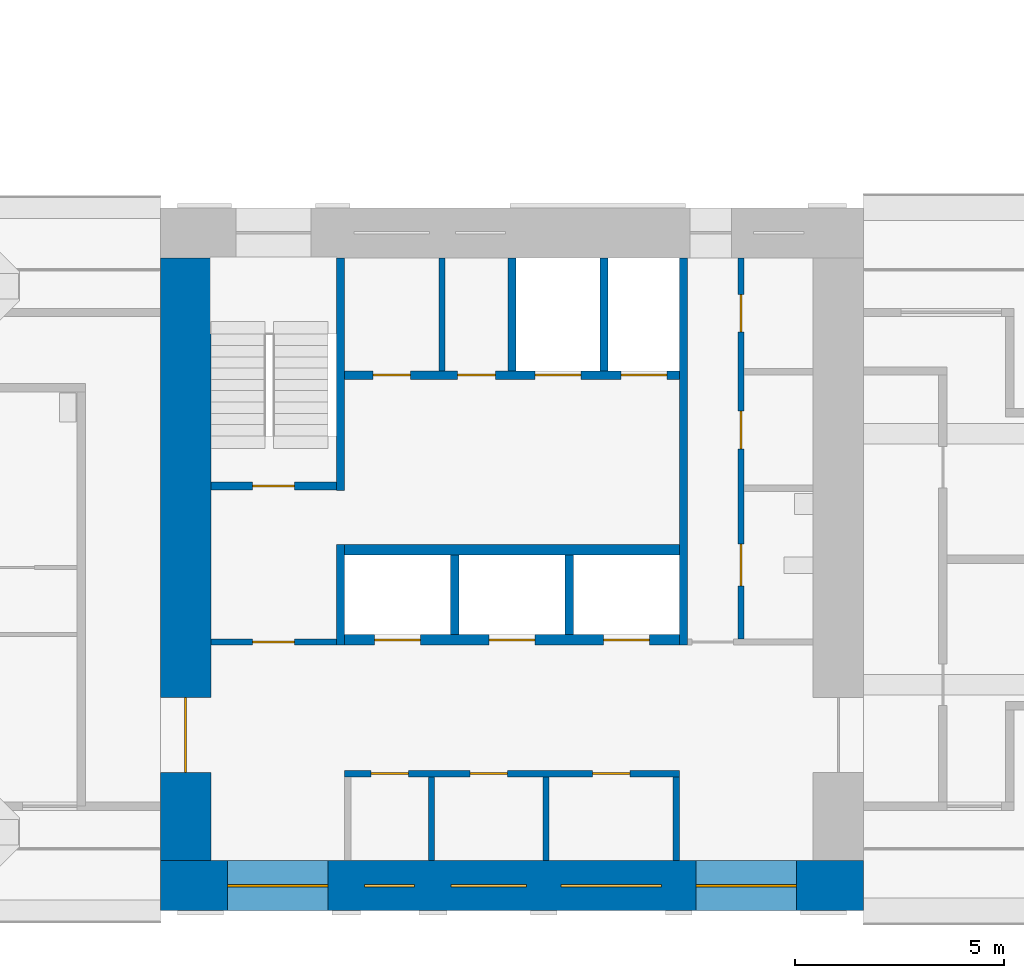
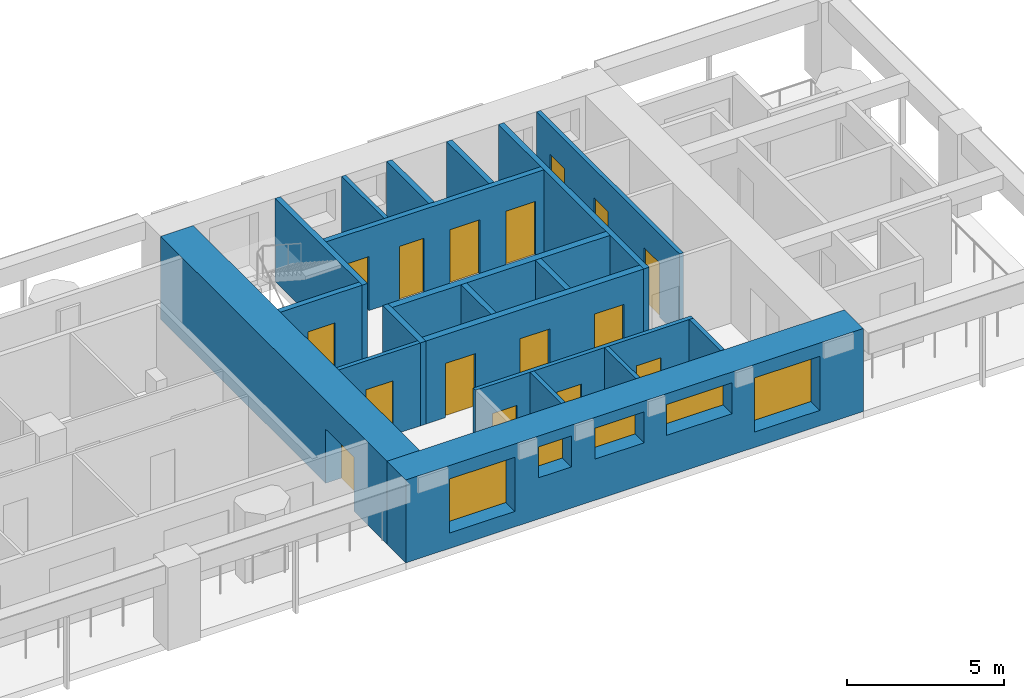
# One storey, part 4 of 13: 20 walls, 16 doors, 5 windows, 21 openings.
"""IFC4 building model written with IfcOpenShell, lengths in metres."""

from ifc_helpers import new_model, si_unit, direction, frame, frame_2d, origin, place, context, subcontext, project, spatial, rectangle, extrude, material, layer, layer_set, type_object, element, fill, save


model = new_model("IFC4")

# Units and contexts
model_context = context("Model", 3, precision=1e-05, world=origin(), true_north=direction((0.0, 1.0)))
body_context = subcontext(model_context, "Body", "Model", "MODEL_VIEW")
ifc_project = project(units=[si_unit("LENGTHUNIT", "METRE"), si_unit("AREAUNIT", "SQUARE_METRE"), si_unit("VOLUMEUNIT", "CUBIC_METRE"), si_unit("PLANEANGLEUNIT", "RADIAN"), si_unit("MASSUNIT", "GRAM", prefix="KILO")], contexts=[model_context])

# Site, building, storey
site_placement = place(None, origin())
site = spatial("IfcSite", under=ifc_project, at=site_placement, CompositionType="ELEMENT")
building_placement = place(site_placement, origin())
building = spatial("IfcBuilding", under=site, at=building_placement, Name="Vermilion Gate Residences", CompositionType="ELEMENT")
storey_placement = place(building_placement, frame((0.0, 0.0, 147.699951171875)))
storey = spatial("IfcBuildingStorey", under=building, at=storey_placement, Name="L37", CompositionType="ELEMENT", Elevation=147.699951171875)

# Walls
ifc_material_1 = material(Name="Masonry blockwork", Category="masonry")
ifc_layer_1 = layer(ifc_material_1, 0.14990234375)
ifc_layer_set_1 = layer_set([ifc_layer_1], Name="BLOCKWORK PARTITION 150 EI 120")
wall_type_1 = type_object("IfcWallType", Name="BLOCKWORK PARTITION 150 EI 120", PredefinedType="PARTITIONING", material=ifc_layer_set_1)
for number, where, z_axis, x_axis, name in (
    (1, (54.324951171875, 9.60009765625, 0.0), (0.0, 0.0, 1.0), (0.0, 1.0, 0.0), "Core room partition A37-RW-E"),
    (2, (48.47509765625, 9.60009765625, 0.0), (0.0, 0.0, 1.0), (0.0, 1.0, 0.0), "Core room partition A37-SR-P0"),
    (3, (51.215087890625, 9.60009765625, 0.0), (0.0, 0.0, 1.0), (0.0, 1.0, 0.0), "Core room partition A37-SR-P1"),
):
    element("IfcWall", number, at=place(storey_placement, frame(where, z_axis=z_axis, x_axis=x_axis)), inside=storey, type_object=wall_type_1, Name=name, PredefinedType="PARTITIONING", context=body_context, shape_type="SweptSolid", body=[
        extrude(rectangle(XDim=2.0, YDim=0.14990234375, at=frame_2d((1.0, 0.0))), origin(), (0.0, 0.0, 1.0), 3.219970703125),
    ])

# Wall, openings, doors
wall_1_placement = place(storey_placement, frame((46.39990234375, 11.675048828125, 0.0), z_axis=(0.0, 0.0, 1.0), x_axis=(1.0, 0.0, 0.0)))
wall_1 = element("IfcWall", 4, at=wall_1_placement, inside=storey, type_object=wall_type_1, Name="Core room partition A37-LR-F", PredefinedType="PARTITIONING", context=body_context, shape_type="SweptSolid", body=[
    extrude(rectangle(XDim=8.0, YDim=0.14990234375, at=frame_2d((4.0, 0.0))), origin(), (0.0, 0.0, 1.0), 3.219970703125),
])
opening_1_placement = place(wall_1_placement, frame((0.625, 0.0, 0.0)))
opening_1 = element("IfcOpeningElement", 5, at=opening_1_placement, cuts=wall_1, Name="Opening DK37003", PredefinedType="OPENING", context=body_context, shape_type="SweptSolid", body=[
    extrude(rectangle(XDim=0.89990234375, YDim=2.10009765625, at=frame_2d((0.449951171875, 1.050048828125))), frame((0.0, 0.0849609375, 0.0), z_axis=(0.0, -1.0, 0.0), x_axis=(1.0, 0.0, 0.0)), (0.0, 0.0, 1.0), 0.169921875),
])
opening_2_placement = place(wall_1_placement, frame((2.9951171875, 0.0, 0.0)))
opening_2 = element("IfcOpeningElement", 6, at=opening_2_placement, cuts=wall_1, Name="Opening DK37004", PredefinedType="OPENING", context=body_context, shape_type="SweptSolid", body=[
    extrude(rectangle(XDim=0.89990234375, YDim=2.10009765625, at=frame_2d((0.449951171875, 1.050048828125))), frame((0.0, 0.0849609375, 0.0), z_axis=(0.0, -1.0, 0.0), x_axis=(1.0, 0.0, 0.0)), (0.0, 0.0, 1.0), 0.169921875),
])
opening_3_placement = place(wall_1_placement, frame((5.919921875, 0.0, 0.0)))
opening_3 = element("IfcOpeningElement", 7, at=opening_3_placement, cuts=wall_1, Name="Opening DK37005", PredefinedType="OPENING", context=body_context, shape_type="SweptSolid", body=[
    extrude(rectangle(XDim=0.89990234375, YDim=2.10009765625, at=frame_2d((0.449951171875, 1.050048828125))), frame((0.0, 0.0849609375, 0.0), z_axis=(0.0, -1.0, 0.0), x_axis=(1.0, 0.0, 0.0)), (0.0, 0.0, 1.0), 0.169921875),
])
ifc_material_2 = material(Name="Steel", Category="steel")
door_type_1 = type_object("IfcDoorType", Name="SERVICE ROOM DOOR FD60 900 X 2100", OperationType="SINGLE_SWING_LEFT", PredefinedType="DOOR", material=ifc_material_2)
door_1_placement = place(opening_1_placement, origin())
door_1 = element("IfcDoor", 8, at=door_1_placement, inside=storey, type_object=door_type_1, Name="Electrical room A37", OperationType="SINGLE_SWING_LEFT", OverallHeight=2.10009765625, OverallWidth=0.89990234375, PredefinedType="DOOR", context=body_context, shape_type="SweptSolid", body=[
    extrude(rectangle(XDim=0.89990234375, YDim=2.10009765625, at=frame_2d((0.449951171875, 1.050048828125))), frame((0.0, 0.02490234375, 0.0), z_axis=(0.0, -1.0, 0.0), x_axis=(1.0, 0.0, 0.0)), (0.0, 0.0, 1.0), 0.050048828125),
])
fill(opening_1, door_1)
door_2_placement = place(opening_2_placement, frame((0.89990234375, 0.0, 0.0), z_axis=(0.0, 0.0, 1.0), x_axis=(-1.0, 0.0, 0.0)))
door_2 = element("IfcDoor", 9, at=door_2_placement, inside=storey, type_object=door_type_1, Name="Communications room A37", OperationType="SINGLE_SWING_RIGHT", OverallHeight=2.10009765625, OverallWidth=0.89990234375, PredefinedType="DOOR", context=body_context, shape_type="SweptSolid", body=[
    extrude(rectangle(XDim=0.89990234375, YDim=2.10009765625, at=frame_2d((0.449951171875, 1.050048828125))), frame((0.0, 0.02490234375, 0.0), z_axis=(0.0, -1.0, 0.0), x_axis=(1.0, 0.0, 0.0)), (0.0, 0.0, 1.0), 0.050048828125),
])
fill(opening_2, door_2)
door_3_placement = place(opening_3_placement, frame((0.89990234375, 0.0, 0.0), z_axis=(0.0, 0.0, 1.0), x_axis=(-1.0, 0.0, 0.0)))
door_3 = element("IfcDoor", 10, at=door_3_placement, inside=storey, type_object=door_type_1, Name="Refuse room A37", OperationType="SINGLE_SWING_RIGHT", OverallHeight=2.10009765625, OverallWidth=0.89990234375, PredefinedType="DOOR", context=body_context, shape_type="SweptSolid", body=[
    extrude(rectangle(XDim=0.89990234375, YDim=2.10009765625, at=frame_2d((0.449951171875, 1.050048828125))), frame((0.0, 0.02490234375, 0.0), z_axis=(0.0, -1.0, 0.0), x_axis=(1.0, 0.0, 0.0)), (0.0, 0.0, 1.0), 0.050048828125),
])
fill(opening_3, door_3)

# Wall
wall_2_placement = place(storey_placement, frame((48.72509765625, 21.300048828125, 0.0), z_axis=(0.0, 0.0, 1.0), x_axis=(0.0, 1.0, 0.0)))
element("IfcWall", 11, at=wall_2_placement, inside=storey, type_object=wall_type_1, Name="Core room partition A37-NR-P0", PredefinedType="PARTITIONING", context=body_context, shape_type="SweptSolid", body=[
    extrude(rectangle(XDim=2.699951171875, YDim=0.14990234375, at=frame_2d((1.35009765625, 0.0))), origin(), (0.0, 0.0, 1.0), 3.219970703125),
])

# Wall, opening, door
wall_3_placement = place(storey_placement, frame((43.199951171875, 14.824951171875, 0.0), z_axis=(0.0, 0.0, 1.0), x_axis=(1.0, 0.0, 0.0)))
wall_3 = element("IfcWall", 12, at=wall_3_placement, inside=storey, type_object=wall_type_1, Name="Core room partition A37-VW-S", PredefinedType="PARTITIONING", context=body_context, shape_type="SweptSolid", body=[
    extrude(rectangle(XDim=3.0, YDim=0.14990234375, at=frame_2d((1.5, 0.0))), origin(), (0.0, 0.0, 1.0), 3.219970703125),
])
opening_4_placement = place(wall_3_placement, frame((1.0, 0.0, 0.0)))
opening_4 = element("IfcOpeningElement", 13, at=opening_4_placement, cuts=wall_3, Name="Opening DK37013", PredefinedType="OPENING", context=body_context, shape_type="SweptSolid", body=[
    extrude(rectangle(XDim=1.0, YDim=2.10009765625, at=frame_2d((0.5, 1.050048828125))), frame((0.0, 0.0849609375, 0.0), z_axis=(0.0, -1.0, 0.0), x_axis=(1.0, 0.0, 0.0)), (0.0, 0.0, 1.0), 0.169921875),
])
ifc_material_3 = material(Name="Steel", Category="steel")
door_type_2 = type_object("IfcDoorType", Name="FIRE DOOR FD60 1000 X 2100", OperationType="SINGLE_SWING_LEFT", PredefinedType="DOOR", material=ifc_material_3)
door_4_placement = place(opening_4_placement, frame((1.0, 0.0, 0.0), z_axis=(0.0, 0.0, 1.0), x_axis=(-1.0, 0.0, 0.0)))
door_4 = element("IfcDoor", 14, at=door_4_placement, inside=storey, type_object=door_type_2, Name="Stair vestibule door A37", OperationType="SINGLE_SWING_RIGHT", OverallHeight=2.10009765625, OverallWidth=1.0, PredefinedType="DOOR", context=body_context, shape_type="SweptSolid", body=[
    extrude(rectangle(XDim=1.0, YDim=2.10009765625, at=frame_2d((0.5, 1.050048828125))), frame((0.0, 0.02490234375, 0.0), z_axis=(0.0, -1.0, 0.0), x_axis=(1.0, 0.0, 0.0)), (0.0, 0.0, 1.0), 0.050048828125),
])
fill(opening_4, door_4)

# Wall, openings, doors
wall_4_placement = place(storey_placement, frame((55.875, 14.89990234375, 0.0), z_axis=(0.0, 0.0, 1.0), x_axis=(0.0, 1.0, 0.0)))
wall_4 = element("IfcWall", 15, at=wall_4_placement, inside=storey, type_object=wall_type_1, Name="Core room partition A37-ES-W", PredefinedType="PARTITIONING", context=body_context, shape_type="SweptSolid", body=[
    extrude(rectangle(XDim=9.10009765625, YDim=0.14990234375, at=frame_2d((4.550048828125, 0.0))), origin(), (0.0, 0.0, 1.0), 3.219970703125),
])
opening_5_placement = place(wall_4_placement, frame((1.260009765625, 0.0, 0.0)))
opening_5 = element("IfcOpeningElement", 16, at=opening_5_placement, cuts=wall_4, Name="Opening DK37016", PredefinedType="OPENING", context=body_context, shape_type="SweptSolid", body=[
    extrude(rectangle(XDim=1.0, YDim=2.10009765625, at=frame_2d((0.5, 1.050048828125))), frame((0.0, 0.0849609375, 0.0), z_axis=(0.0, -1.0, 0.0), x_axis=(1.0, 0.0, 0.0)), (0.0, 0.0, 1.0), 0.169921875),
])
opening_6_placement = place(wall_4_placement, frame((4.5400390625, 0.0, 0.0)))
opening_6 = element("IfcOpeningElement", 17, at=opening_6_placement, cuts=wall_4, Name="Opening DK37017", PredefinedType="OPENING", context=body_context, shape_type="SweptSolid", body=[
    extrude(rectangle(XDim=0.89990234375, YDim=2.10009765625, at=frame_2d((0.449951171875, 1.050048828125))), frame((0.0, 0.0849609375, 0.0), z_axis=(0.0, -1.0, 0.0), x_axis=(1.0, 0.0, 0.0)), (0.0, 0.0, 1.0), 0.169921875),
])
opening_7_placement = place(wall_4_placement, frame((7.330078125, 0.0, 0.0)))
opening_7 = element("IfcOpeningElement", 18, at=opening_7_placement, cuts=wall_4, Name="Opening DK37018", PredefinedType="OPENING", context=body_context, shape_type="SweptSolid", body=[
    extrude(rectangle(XDim=0.89990234375, YDim=2.10009765625, at=frame_2d((0.449951171875, 1.050048828125))), frame((0.0, 0.0849609375, 0.0), z_axis=(0.0, -1.0, 0.0), x_axis=(1.0, 0.0, 0.0)), (0.0, 0.0, 1.0), 0.169921875),
])
door_5_placement = place(opening_5_placement, frame((1.0, 0.0, 0.0), z_axis=(0.0, 0.0, 1.0), x_axis=(-1.0, 0.0, 0.0)))
door_5 = element("IfcDoor", 19, at=door_5_placement, inside=storey, type_object=door_type_2, Name="Accessible WC A37", OperationType="SINGLE_SWING_RIGHT", OverallHeight=2.10009765625, OverallWidth=1.0, PredefinedType="DOOR", context=body_context, shape_type="SweptSolid", body=[
    extrude(rectangle(XDim=1.0, YDim=2.10009765625, at=frame_2d((0.5, 1.050048828125))), frame((0.0, 0.02490234375, 0.0), z_axis=(0.0, -1.0, 0.0), x_axis=(1.0, 0.0, 0.0)), (0.0, 0.0, 1.0), 0.050048828125),
])
fill(opening_5, door_5)
door_6_placement = place(opening_6_placement, frame((0.89990234375, 0.0, 0.0), z_axis=(0.0, 0.0, 1.0), x_axis=(-1.0, 0.0, 0.0)))
door_6 = element("IfcDoor", 20, at=door_6_placement, inside=storey, type_object=door_type_1, Name="Refuse room A37", OperationType="SINGLE_SWING_RIGHT", OverallHeight=2.10009765625, OverallWidth=0.89990234375, PredefinedType="DOOR", context=body_context, shape_type="SweptSolid", body=[
    extrude(rectangle(XDim=0.89990234375, YDim=2.10009765625, at=frame_2d((0.449951171875, 1.050048828125))), frame((0.0, 0.02490234375, 0.0), z_axis=(0.0, -1.0, 0.0), x_axis=(1.0, 0.0, 0.0)), (0.0, 0.0, 1.0), 0.050048828125),
])
fill(opening_6, door_6)
door_7_placement = place(opening_7_placement, frame((0.89990234375, 0.0, 0.0), z_axis=(0.0, 0.0, 1.0), x_axis=(-1.0, 0.0, 0.0)))
door_7 = element("IfcDoor", 21, at=door_7_placement, inside=storey, type_object=door_type_1, Name="Parcel room A37", OperationType="SINGLE_SWING_LEFT", OverallHeight=2.10009765625, OverallWidth=0.89990234375, PredefinedType="DOOR", context=body_context, shape_type="SweptSolid", body=[
    extrude(rectangle(XDim=0.89990234375, YDim=2.10009765625, at=frame_2d((0.449951171875, 1.050048828125))), frame((0.0, 0.02490234375, 0.0), z_axis=(0.0, -1.0, 0.0), x_axis=(1.0, 0.0, 0.0)), (0.0, 0.0, 1.0), 0.050048828125),
])
fill(opening_7, door_7)

# Walls
ifc_material_4 = material(Name="Concrete C60", Category="concrete")
ifc_layer_2 = layer(ifc_material_4, 0.199951171875)
ifc_layer_set_2 = layer_set([ifc_layer_2], Name="RC CORE INTERNAL WALL 200 C60")
wall_type_2 = type_object("IfcWallType", Name="RC CORE INTERNAL WALL 200 C60", PredefinedType="SHEAR", material=ifc_layer_set_2)
for number, where, z_axis, x_axis, name in (
    (22, (49.033447265625, 15.0, 0.0), (0.0, 0.0, 1.0), (0.0, 1.0, 0.0), "Core internal wall A37-HR-D1"),
    (23, (51.7666015625, 15.0, 0.0), (0.0, 0.0, 1.0), (0.0, 1.0, 0.0), "Core internal wall A37-HR-D2"),
):
    element("IfcWall", number, at=place(storey_placement, frame(where, z_axis=z_axis, x_axis=x_axis)), inside=storey, type_object=wall_type_2, Name=name, PredefinedType="SHEAR", context=body_context, shape_type="SweptSolid", body=[
        extrude(rectangle(XDim=1.89990234375, YDim=0.199951171875, at=frame_2d((0.949951171875, 0.0))), origin(), (0.0, 0.0, 1.0), 3.219970703125),
    ])
for number, where, z_axis, x_axis, name in (
    (24, (50.39990234375, 21.300048828125, 0.0), (0.0, 0.0, 1.0), (0.0, 1.0, 0.0), "Core internal wall A37-FF-D0"),
    (25, (52.60009765625, 21.300048828125, 0.0), (0.0, 0.0, 1.0), (0.0, 1.0, 0.0), "Core internal wall A37-FF-D1"),
):
    element("IfcWall", number, at=place(storey_placement, frame(where, z_axis=z_axis, x_axis=x_axis)), inside=storey, type_object=wall_type_2, Name=name, PredefinedType="SHEAR", context=body_context, shape_type="SweptSolid", body=[
        extrude(rectangle(XDim=2.699951171875, YDim=0.199951171875, at=frame_2d((1.35009765625, 0.0))), origin(), (0.0, 0.0, 1.0), 3.219970703125),
    ])

# Wall, openings, doors
wall_5_placement = place(storey_placement, frame((46.39990234375, 21.199951171875, 0.0), z_axis=(0.0, 0.0, 1.0), x_axis=(1.0, 0.0, 0.0)))
wall_5 = element("IfcWall", 26, at=wall_5_placement, inside=storey, type_object=wall_type_2, Name="Core internal wall A37-FF-F", PredefinedType="SHEAR", context=body_context, shape_type="SweptSolid", body=[
    extrude(rectangle(XDim=8.0, YDim=0.199951171875, at=frame_2d((4.0, 0.0))), origin(), (0.0, 0.0, 1.0), 3.219970703125),
])
opening_8_placement = place(wall_5_placement, frame((0.675048828125, 0.0, 0.0)))
opening_8 = element("IfcOpeningElement", 27, at=opening_8_placement, cuts=wall_5, Name="Opening DK37009", PredefinedType="OPENING", context=body_context, shape_type="SweptSolid", body=[
    extrude(rectangle(XDim=0.89990234375, YDim=2.10009765625, at=frame_2d((0.449951171875, 1.050048828125))), frame((0.0, 0.10986328125, 0.0), z_axis=(0.0, -1.0, 0.0), x_axis=(1.0, 0.0, 0.0)), (0.0, 0.0, 1.0), 0.219970703125),
])
opening_9_placement = place(wall_5_placement, frame((2.699951171875, 0.0, 0.0)))
opening_9 = element("IfcOpeningElement", 28, at=opening_9_placement, cuts=wall_5, Name="Opening DK37010", PredefinedType="OPENING", context=body_context, shape_type="SweptSolid", body=[
    extrude(rectangle(XDim=0.89990234375, YDim=2.10009765625, at=frame_2d((0.449951171875, 1.050048828125))), frame((0.0, 0.10986328125, 0.0), z_axis=(0.0, -1.0, 0.0), x_axis=(1.0, 0.0, 0.0)), (0.0, 0.0, 1.0), 0.219970703125),
])
opening_10_placement = place(wall_5_placement, frame((4.550048828125, 0.0, 0.0)))
opening_10 = element("IfcOpeningElement", 29, at=opening_10_placement, cuts=wall_5, Name="Opening LD", PredefinedType="OPENING", context=body_context, shape_type="SweptSolid", body=[
    extrude(rectangle(XDim=1.10009765625, YDim=2.10009765625, at=frame_2d((0.550048828125, 1.050048828125))), frame((0.0, 0.10986328125, 0.0), z_axis=(0.0, -1.0, 0.0), x_axis=(1.0, 0.0, 0.0)), (0.0, 0.0, 1.0), 0.219970703125),
])
opening_11_placement = place(wall_5_placement, frame((6.60009765625, 0.0, 0.0)))
opening_11 = element("IfcOpeningElement", 30, at=opening_11_placement, cuts=wall_5, Name="Opening LD", PredefinedType="OPENING", context=body_context, shape_type="SweptSolid", body=[
    extrude(rectangle(XDim=1.10009765625, YDim=2.10009765625, at=frame_2d((0.550048828125, 1.050048828125))), frame((0.0, 0.10986328125, 0.0), z_axis=(0.0, -1.0, 0.0), x_axis=(1.0, 0.0, 0.0)), (0.0, 0.0, 1.0), 0.219970703125),
])
ifc_material_5 = material(Name="Stainless steel", Category="steel")
door_type_3 = type_object("IfcDoorType", Name="LIFT LANDING DOOR E60 1100 X 2100", OperationType="DOUBLE_DOOR_SLIDING", PredefinedType="DOOR", material=ifc_material_5)
door_8_placement = place(opening_10_placement, origin())
door_8 = element("IfcDoor", 31, at=door_8_placement, inside=storey, type_object=door_type_3, Name="Lift landing door LFA1", OperationType="DOUBLE_DOOR_SLIDING", OverallHeight=2.10009765625, OverallWidth=1.10009765625, PredefinedType="DOOR", context=body_context, shape_type="SweptSolid", body=[
    extrude(rectangle(XDim=1.10009765625, YDim=2.10009765625, at=frame_2d((0.550048828125, 1.050048828125))), frame((0.0, 0.02490234375, 0.0), z_axis=(0.0, -1.0, 0.0), x_axis=(1.0, 0.0, 0.0)), (0.0, 0.0, 1.0), 0.050048828125),
])
fill(opening_10, door_8)
door_9_placement = place(opening_11_placement, origin())
door_9 = element("IfcDoor", 32, at=door_9_placement, inside=storey, type_object=door_type_3, Name="Lift landing door LCA1", OperationType="DOUBLE_DOOR_SLIDING", OverallHeight=2.10009765625, OverallWidth=1.10009765625, PredefinedType="DOOR", context=body_context, shape_type="SweptSolid", body=[
    extrude(rectangle(XDim=1.10009765625, YDim=2.10009765625, at=frame_2d((0.550048828125, 1.050048828125))), frame((0.0, 0.02490234375, 0.0), z_axis=(0.0, -1.0, 0.0), x_axis=(1.0, 0.0, 0.0)), (0.0, 0.0, 1.0), 0.050048828125),
])
fill(opening_11, door_9)
door_10_placement = place(opening_8_placement, origin())
door_10 = element("IfcDoor", 33, at=door_10_placement, inside=storey, type_object=door_type_1, Name="Electrical riser A37", OperationType="SINGLE_SWING_LEFT", OverallHeight=2.10009765625, OverallWidth=0.89990234375, PredefinedType="DOOR", context=body_context, shape_type="SweptSolid", body=[
    extrude(rectangle(XDim=0.89990234375, YDim=2.10009765625, at=frame_2d((0.449951171875, 1.050048828125))), frame((0.0, 0.02490234375, 0.0), z_axis=(0.0, -1.0, 0.0), x_axis=(1.0, 0.0, 0.0)), (0.0, 0.0, 1.0), 0.050048828125),
])
fill(opening_8, door_10)
door_11_placement = place(opening_9_placement, origin())
door_11 = element("IfcDoor", 34, at=door_11_placement, inside=storey, type_object=door_type_1, Name="Cleaner's store A37", OperationType="SINGLE_SWING_LEFT", OverallHeight=2.10009765625, OverallWidth=0.89990234375, PredefinedType="DOOR", context=body_context, shape_type="SweptSolid", body=[
    extrude(rectangle(XDim=0.89990234375, YDim=2.10009765625, at=frame_2d((0.449951171875, 1.050048828125))), frame((0.0, 0.02490234375, 0.0), z_axis=(0.0, -1.0, 0.0), x_axis=(1.0, 0.0, 0.0)), (0.0, 0.0, 1.0), 0.050048828125),
])
fill(opening_9, door_11)

# Walls
wall_6_placement = place(storey_placement, frame((46.300048828125, 14.75, 0.0), z_axis=(0.0, 0.0, 1.0), x_axis=(0.0, 1.0, 0.0)))
element("IfcWall", 35, at=wall_6_placement, inside=storey, type_object=wall_type_2, Name="Core internal wall A37-WDIV1", PredefinedType="SHEAR", context=body_context, shape_type="SweptSolid", body=[
    extrude(rectangle(XDim=2.39990234375, YDim=0.199951171875, at=frame_2d((1.199951171875, 0.0))), origin(), (0.0, 0.0, 1.0), 3.219970703125),
])
wall_7_placement = place(storey_placement, frame((46.300048828125, 18.449951171875, 0.0), z_axis=(0.0, 0.0, 1.0), x_axis=(0.0, 1.0, 0.0)))
element("IfcWall", 36, at=wall_7_placement, inside=storey, type_object=wall_type_2, Name="Core internal wall A37-WDIV2", PredefinedType="SHEAR", context=body_context, shape_type="SweptSolid", body=[
    extrude(rectangle(XDim=5.550048828125, YDim=0.199951171875, at=frame_2d((2.77490234375, 0.0))), origin(), (0.0, 0.0, 1.0), 3.219970703125),
])

# Wall, opening, door
wall_8_placement = place(storey_placement, frame((43.199951171875, 18.550048828125, 0.0), z_axis=(0.0, 0.0, 1.0), x_axis=(1.0, 0.0, 0.0)))
wall_8 = element("IfcWall", 37, at=wall_8_placement, inside=storey, type_object=wall_type_2, Name="Core internal wall A37-STW-S", PredefinedType="SHEAR", context=body_context, shape_type="SweptSolid", body=[
    extrude(rectangle(XDim=3.0, YDim=0.199951171875, at=frame_2d((1.5, 0.0))), origin(), (0.0, 0.0, 1.0), 3.219970703125),
])
opening_12_placement = place(wall_8_placement, frame((1.0, 0.0, 0.0)))
opening_12 = element("IfcOpeningElement", 38, at=opening_12_placement, cuts=wall_8, Name="Opening DK37014", PredefinedType="OPENING", context=body_context, shape_type="SweptSolid", body=[
    extrude(rectangle(XDim=1.0, YDim=2.10009765625, at=frame_2d((0.5, 1.050048828125))), frame((0.0, 0.10986328125, 0.0), z_axis=(0.0, -1.0, 0.0), x_axis=(1.0, 0.0, 0.0)), (0.0, 0.0, 1.0), 0.219970703125),
])
door_12_placement = place(opening_12_placement, origin())
door_12 = element("IfcDoor", 39, at=door_12_placement, inside=storey, type_object=door_type_2, Name="Stair door A37", OperationType="SINGLE_SWING_LEFT", OverallHeight=2.10009765625, OverallWidth=1.0, PredefinedType="DOOR", context=body_context, shape_type="SweptSolid", body=[
    extrude(rectangle(XDim=1.0, YDim=2.10009765625, at=frame_2d((0.5, 1.050048828125))), frame((0.0, 0.02490234375, 0.0), z_axis=(0.0, -1.0, 0.0), x_axis=(1.0, 0.0, 0.0)), (0.0, 0.0, 1.0), 0.050048828125),
])
fill(opening_12, door_12)

# Wall
wall_9_placement = place(storey_placement, frame((54.5, 14.75, 0.0), z_axis=(0.0, 0.0, 1.0), x_axis=(0.0, 1.0, 0.0)))
element("IfcWall", 40, at=wall_9_placement, inside=storey, type_object=wall_type_2, Name="Core internal wall A37-EDIV", PredefinedType="SHEAR", context=body_context, shape_type="SweptSolid", body=[
    extrude(rectangle(XDim=9.25, YDim=0.199951171875, at=frame_2d((4.625, 0.0))), origin(), (0.0, 0.0, 1.0), 3.219970703125),
])

# Wall, opening, door
ifc_material_6 = material(Name="Concrete C60", Category="concrete")
ifc_layer_3 = layer(ifc_material_6, 1.199951171875)
ifc_layer_set_3 = layer_set([ifc_layer_3], Name="RC CORE WALL 1200 C60")
wall_type_3 = type_object("IfcWallType", Name="RC CORE WALL 1200 C60", PredefinedType="SHEAR", material=ifc_layer_set_3)
wall_10_placement = place(storey_placement, frame((42.60009765625, 9.60009765625, 0.0), z_axis=(0.0, 0.0, 1.0), x_axis=(0.0, 1.0, 0.0)))
wall_10 = element("IfcWall", 41, at=wall_10_placement, inside=storey, type_object=wall_type_3, Name="Core wall A37-OUT-FR", PredefinedType="SHEAR", context=body_context, shape_type="SweptSolid", body=[
    extrude(rectangle(XDim=14.39990234375, YDim=1.199951171875, at=frame_2d((7.199951171875, 0.0))), origin(), (0.0, 0.0, 1.0), 3.219970703125),
])
opening_13_placement = place(wall_10_placement, frame((2.10009765625, 0.0, 0.0)))
opening_13 = element("IfcOpeningElement", 42, at=opening_13_placement, cuts=wall_10, Name="Opening DK37001", PredefinedType="OPENING", context=body_context, shape_type="SweptSolid", body=[
    extrude(rectangle(XDim=1.800048828125, YDim=2.10009765625, at=frame_2d((0.89990234375, 1.050048828125))), frame((0.0, 0.60986328125, 0.0), z_axis=(0.0, -1.0, 0.0), x_axis=(1.0, 0.0, 0.0)), (0.0, 0.0, 1.0), 1.219970703125),
])
ifc_material_7 = material(Name="Steel", Category="steel")
door_type_4 = type_object("IfcDoorType", Name="CORE LOBBY DOOR FD60 1800 X 2100", OperationType="DOUBLE_DOOR_SINGLE_SWING", PredefinedType="DOOR", material=ifc_material_7)
door_13_placement = place(opening_13_placement, frame((1.800048828125, 0.0, 0.0), z_axis=(0.0, 0.0, 1.0), x_axis=(-1.0, 0.0, 0.0)))
door_13 = element("IfcDoor", 43, at=door_13_placement, inside=storey, type_object=door_type_4, Name="Core lobby door A37", OperationType="DOUBLE_DOOR_SINGLE_SWING", OverallHeight=2.10009765625, OverallWidth=1.800048828125, PredefinedType="DOOR", context=body_context, shape_type="SweptSolid", body=[
    extrude(rectangle(XDim=1.800048828125, YDim=2.10009765625, at=frame_2d((0.89990234375, 1.050048828125))), frame((0.0, 0.02490234375, 0.0), z_axis=(0.0, -1.0, 0.0), x_axis=(1.0, 0.0, 0.0)), (0.0, 0.0, 1.0), 0.050048828125),
])
fill(opening_13, door_13)

# Wall, openings, windows
ifc_material_8 = material(Name="Concrete C60 red-oxide pigmented", Category="concrete")
ifc_layer_4 = layer(ifc_material_8, 1.199951171875)
ifc_layer_set_4 = layer_set([ifc_layer_4], Name="RC CORE WALL 1200 C60 RED OXIDE")
wall_type_4 = type_object("IfcWallType", Name="RC CORE WALL 1200 C60 RED OXIDE", PredefinedType="SHEAR", material=ifc_layer_set_4)
wall_11_placement = place(storey_placement, frame((42.0, 9.0, 0.0), z_axis=(0.0, 0.0, 1.0), x_axis=(1.0, 0.0, 0.0)))
wall_11 = element("IfcWall", 44, at=wall_11_placement, inside=storey, type_object=wall_type_4, Name="Core wall A37-OUT-B0", PredefinedType="SHEAR", context=body_context, shape_type="SweptSolid", body=[
    extrude(rectangle(XDim=16.800048828125, YDim=1.199951171875, at=frame_2d((8.39990234375, 0.0))), origin(), (0.0, 0.0, 1.0), 3.219970703125),
])
opening_14_placement = place(wall_11_placement, frame((1.60009765625, 0.0, 0.60009765625)))
opening_14 = element("IfcOpeningElement", 45, at=opening_14_placement, cuts=wall_11, Name="Opening WKA3701", PredefinedType="OPENING", context=body_context, shape_type="SweptSolid", body=[
    extrude(rectangle(XDim=2.39990234375, YDim=2.10009765625, at=frame_2d((1.199951171875, 1.050048828125))), frame((0.0, 0.60986328125, 0.0), z_axis=(0.0, -1.0, 0.0), x_axis=(1.0, 0.0, 0.0)), (0.0, 0.0, 1.0), 1.219970703125),
])
opening_15_placement = place(wall_11_placement, frame((4.875, 0.0, 1.60009765625)))
opening_15 = element("IfcOpeningElement", 46, at=opening_15_placement, cuts=wall_11, Name="Opening WKA3702", PredefinedType="OPENING", context=body_context, shape_type="SweptSolid", body=[
    extrude(rectangle(XDim=1.199951171875, YDim=1.199951171875, at=frame_2d((0.60009765625, 0.60009765625))), frame((0.0, 0.60986328125, 0.0), z_axis=(0.0, -1.0, 0.0), x_axis=(1.0, 0.0, 0.0)), (0.0, 0.0, 1.0), 1.219970703125),
])
opening_16_placement = place(wall_11_placement, frame((6.945068359375, 0.0, 1.60009765625)))
opening_16 = element("IfcOpeningElement", 47, at=opening_16_placement, cuts=wall_11, Name="Opening WKA3703", PredefinedType="OPENING", context=body_context, shape_type="SweptSolid", body=[
    extrude(rectangle(XDim=1.800048828125, YDim=1.199951171875, at=frame_2d((0.89990234375, 0.60009765625))), frame((0.0, 0.60986328125, 0.0), z_axis=(0.0, -1.0, 0.0), x_axis=(1.0, 0.0, 0.0)), (0.0, 0.0, 1.0), 1.219970703125),
])
opening_17_placement = place(wall_11_placement, frame((9.570068359375, 0.0, 1.60009765625)))
opening_17 = element("IfcOpeningElement", 48, at=opening_17_placement, cuts=wall_11, Name="Opening WKA3704", PredefinedType="OPENING", context=body_context, shape_type="SweptSolid", body=[
    extrude(rectangle(XDim=2.39990234375, YDim=1.199951171875, at=frame_2d((1.199951171875, 0.60009765625))), frame((0.0, 0.60986328125, 0.0), z_axis=(0.0, -1.0, 0.0), x_axis=(1.0, 0.0, 0.0)), (0.0, 0.0, 1.0), 1.219970703125),
])
opening_18_placement = place(wall_11_placement, frame((12.800048828125, 0.0, 0.60009765625)))
opening_18 = element("IfcOpeningElement", 49, at=opening_18_placement, cuts=wall_11, Name="Opening WKA3705", PredefinedType="OPENING", context=body_context, shape_type="SweptSolid", body=[
    extrude(rectangle(XDim=2.39990234375, YDim=2.10009765625, at=frame_2d((1.199951171875, 1.050048828125))), frame((0.0, 0.60986328125, 0.0), z_axis=(0.0, -1.0, 0.0), x_axis=(1.0, 0.0, 0.0)), (0.0, 0.0, 1.0), 1.219970703125),
])
ifc_material_9 = material(Name="Aluminium and clear glass", Category="aluminium")
window_type_1 = type_object("IfcWindowType", Name="CORE LOBBY WINDOW 2400 X 2100", PartitioningType="SINGLE_PANEL", PredefinedType="WINDOW", material=ifc_material_9)
window_1_placement = place(opening_14_placement, origin())
window_1 = element("IfcWindow", 50, at=window_1_placement, inside=storey, type_object=window_type_1, Name="Core lobby window", OverallHeight=2.10009765625, OverallWidth=2.39990234375, PartitioningType="SINGLE_PANEL", PredefinedType="WINDOW", context=body_context, shape_type="SweptSolid", body=[
    extrude(rectangle(XDim=2.39990234375, YDim=2.10009765625, at=frame_2d((1.199951171875, 1.050048828125))), frame((0.0, 0.030029296875, 0.0), z_axis=(0.0, -1.0, 0.0), x_axis=(1.0, 0.0, 0.0)), (0.0, 0.0, 1.0), 0.06005859375),
])
fill(opening_14, window_1)
window_2_placement = place(opening_18_placement, origin())
window_2 = element("IfcWindow", 51, at=window_2_placement, inside=storey, type_object=window_type_1, Name="Core lobby window", OverallHeight=2.10009765625, OverallWidth=2.39990234375, PartitioningType="SINGLE_PANEL", PredefinedType="WINDOW", context=body_context, shape_type="SweptSolid", body=[
    extrude(rectangle(XDim=2.39990234375, YDim=2.10009765625, at=frame_2d((1.199951171875, 1.050048828125))), frame((0.0, 0.030029296875, 0.0), z_axis=(0.0, -1.0, 0.0), x_axis=(1.0, 0.0, 0.0)), (0.0, 0.0, 1.0), 0.06005859375),
])
fill(opening_18, window_2)
ifc_material_10 = material(Name="Aluminium frame with louvre blades", Category="aluminium")
window_type_2 = type_object("IfcWindowType", Name="CORE LOUVRE 1200 X 1200", PartitioningType="SINGLE_PANEL", PredefinedType="WINDOW", material=ifc_material_10)
window_3_placement = place(opening_15_placement, origin())
window_3 = element("IfcWindow", 52, at=window_3_placement, inside=storey, type_object=window_type_2, Name="Core louvre", OverallHeight=1.199951171875, OverallWidth=1.199951171875, PartitioningType="SINGLE_PANEL", PredefinedType="WINDOW", context=body_context, shape_type="SweptSolid", body=[
    extrude(rectangle(XDim=1.199951171875, YDim=1.199951171875, at=frame_2d((0.60009765625, 0.60009765625))), frame((0.0, 0.030029296875, 0.0), z_axis=(0.0, -1.0, 0.0), x_axis=(1.0, 0.0, 0.0)), (0.0, 0.0, 1.0), 0.06005859375),
])
fill(opening_15, window_3)
ifc_material_11 = material(Name="Aluminium frame with louvre blades", Category="aluminium")
window_type_3 = type_object("IfcWindowType", Name="CORE LOUVRE 1800 X 1200", PartitioningType="SINGLE_PANEL", PredefinedType="WINDOW", material=ifc_material_11)
window_4_placement = place(opening_16_placement, origin())
window_4 = element("IfcWindow", 53, at=window_4_placement, inside=storey, type_object=window_type_3, Name="Core louvre", OverallHeight=1.199951171875, OverallWidth=1.800048828125, PartitioningType="SINGLE_PANEL", PredefinedType="WINDOW", context=body_context, shape_type="SweptSolid", body=[
    extrude(rectangle(XDim=1.800048828125, YDim=1.199951171875, at=frame_2d((0.89990234375, 0.60009765625))), frame((0.0, 0.030029296875, 0.0), z_axis=(0.0, -1.0, 0.0), x_axis=(1.0, 0.0, 0.0)), (0.0, 0.0, 1.0), 0.06005859375),
])
fill(opening_16, window_4)
ifc_material_12 = material(Name="Aluminium frame with louvre blades", Category="aluminium")
window_type_4 = type_object("IfcWindowType", Name="CORE LOUVRE 2400 X 1200", PartitioningType="SINGLE_PANEL", PredefinedType="WINDOW", material=ifc_material_12)
window_5_placement = place(opening_17_placement, origin())
window_5 = element("IfcWindow", 54, at=window_5_placement, inside=storey, type_object=window_type_4, Name="Core louvre", OverallHeight=1.199951171875, OverallWidth=2.39990234375, PartitioningType="SINGLE_PANEL", PredefinedType="WINDOW", context=body_context, shape_type="SweptSolid", body=[
    extrude(rectangle(XDim=2.39990234375, YDim=1.199951171875, at=frame_2d((1.199951171875, 0.60009765625))), frame((0.0, 0.030029296875, 0.0), z_axis=(0.0, -1.0, 0.0), x_axis=(1.0, 0.0, 0.0)), (0.0, 0.0, 1.0), 0.06005859375),
])
fill(opening_17, window_5)

# Wall, openings, doors
ifc_material_13 = material(Name="Concrete C60", Category="concrete")
ifc_layer_5 = layer(ifc_material_13, 0.25)
ifc_layer_set_5 = layer_set([ifc_layer_5], Name="RC LIFT SHAFT WALL 250 C60")
wall_type_5 = type_object("IfcWallType", Name="RC LIFT SHAFT WALL 250 C60", PredefinedType="SHEAR", material=ifc_layer_set_5)
wall_12_placement = place(storey_placement, frame((46.39990234375, 14.875, 0.0), z_axis=(0.0, 0.0, 1.0), x_axis=(1.0, 0.0, 0.0)))
wall_12 = element("IfcWall", 55, at=wall_12_placement, inside=storey, type_object=wall_type_5, Name="Lift shaft wall A37-HR-F", PredefinedType="SHEAR", context=body_context, shape_type="SweptSolid", body=[
    extrude(rectangle(XDim=8.0, YDim=0.25, at=frame_2d((4.0, 0.0))), origin(), (0.0, 0.0, 1.0), 3.219970703125),
])
opening_19_placement = place(wall_12_placement, frame((0.716552734375, 0.0, 0.0)))
opening_19 = element("IfcOpeningElement", 56, at=opening_19_placement, cuts=wall_12, Name="Opening LD", PredefinedType="OPENING", context=body_context, shape_type="SweptSolid", body=[
    extrude(rectangle(XDim=1.10009765625, YDim=2.10009765625, at=frame_2d((0.550048828125, 1.050048828125))), frame((0.0, 0.135009765625, 0.0), z_axis=(0.0, -1.0, 0.0), x_axis=(1.0, 0.0, 0.0)), (0.0, 0.0, 1.0), 0.27001953125),
])
opening_20_placement = place(wall_12_placement, frame((3.449951171875, 0.0, 0.0)))
opening_20 = element("IfcOpeningElement", 57, at=opening_20_placement, cuts=wall_12, Name="Opening LD", PredefinedType="OPENING", context=body_context, shape_type="SweptSolid", body=[
    extrude(rectangle(XDim=1.10009765625, YDim=2.10009765625, at=frame_2d((0.550048828125, 1.050048828125))), frame((0.0, 0.135009765625, 0.0), z_axis=(0.0, -1.0, 0.0), x_axis=(1.0, 0.0, 0.0)), (0.0, 0.0, 1.0), 0.27001953125),
])
opening_21_placement = place(wall_12_placement, frame((6.183349609375, 0.0, 0.0)))
opening_21 = element("IfcOpeningElement", 58, at=opening_21_placement, cuts=wall_12, Name="Opening LD", PredefinedType="OPENING", context=body_context, shape_type="SweptSolid", body=[
    extrude(rectangle(XDim=1.10009765625, YDim=2.10009765625, at=frame_2d((0.550048828125, 1.050048828125))), frame((0.0, 0.135009765625, 0.0), z_axis=(0.0, -1.0, 0.0), x_axis=(1.0, 0.0, 0.0)), (0.0, 0.0, 1.0), 0.27001953125),
])
door_14_placement = place(opening_19_placement, origin())
door_14 = element("IfcDoor", 59, at=door_14_placement, inside=storey, type_object=door_type_3, Name="Lift landing door HRA1", OperationType="DOUBLE_DOOR_SLIDING", OverallHeight=2.10009765625, OverallWidth=1.10009765625, PredefinedType="DOOR", context=body_context, shape_type="SweptSolid", body=[
    extrude(rectangle(XDim=1.10009765625, YDim=2.10009765625, at=frame_2d((0.550048828125, 1.050048828125))), frame((0.0, 0.02490234375, 0.0), z_axis=(0.0, -1.0, 0.0), x_axis=(1.0, 0.0, 0.0)), (0.0, 0.0, 1.0), 0.050048828125),
])
fill(opening_19, door_14)
door_15_placement = place(opening_20_placement, origin())
door_15 = element("IfcDoor", 60, at=door_15_placement, inside=storey, type_object=door_type_3, Name="Lift landing door HRA2", OperationType="DOUBLE_DOOR_SLIDING", OverallHeight=2.10009765625, OverallWidth=1.10009765625, PredefinedType="DOOR", context=body_context, shape_type="SweptSolid", body=[
    extrude(rectangle(XDim=1.10009765625, YDim=2.10009765625, at=frame_2d((0.550048828125, 1.050048828125))), frame((0.0, 0.02490234375, 0.0), z_axis=(0.0, -1.0, 0.0), x_axis=(1.0, 0.0, 0.0)), (0.0, 0.0, 1.0), 0.050048828125),
])
fill(opening_20, door_15)
door_16_placement = place(opening_21_placement, origin())
door_16 = element("IfcDoor", 61, at=door_16_placement, inside=storey, type_object=door_type_3, Name="Lift landing door HRA3", OperationType="DOUBLE_DOOR_SLIDING", OverallHeight=2.10009765625, OverallWidth=1.10009765625, PredefinedType="DOOR", context=body_context, shape_type="SweptSolid", body=[
    extrude(rectangle(XDim=1.10009765625, YDim=2.10009765625, at=frame_2d((0.550048828125, 1.050048828125))), frame((0.0, 0.02490234375, 0.0), z_axis=(0.0, -1.0, 0.0), x_axis=(1.0, 0.0, 0.0)), (0.0, 0.0, 1.0), 0.050048828125),
])
fill(opening_21, door_16)

# Wall
wall_13_placement = place(storey_placement, frame((46.39990234375, 17.02490234375, 0.0), z_axis=(0.0, 0.0, 1.0), x_axis=(1.0, 0.0, 0.0)))
element("IfcWall", 62, at=wall_13_placement, inside=storey, type_object=wall_type_5, Name="Lift shaft wall A37-HR-B", PredefinedType="SHEAR", context=body_context, shape_type="SweptSolid", body=[
    extrude(rectangle(XDim=8.0, YDim=0.25, at=frame_2d((4.0, 0.0))), origin(), (0.0, 0.0, 1.0), 3.219970703125),
])

save(model, "model.ifc")
